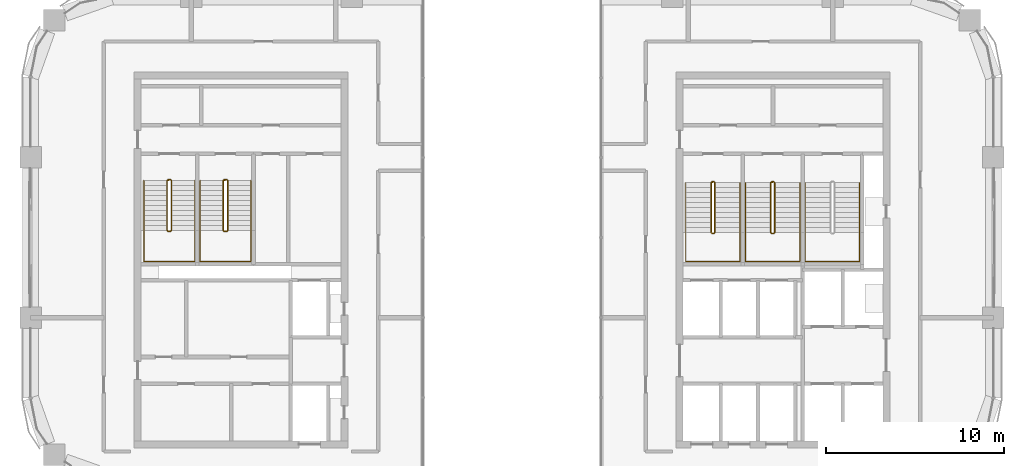
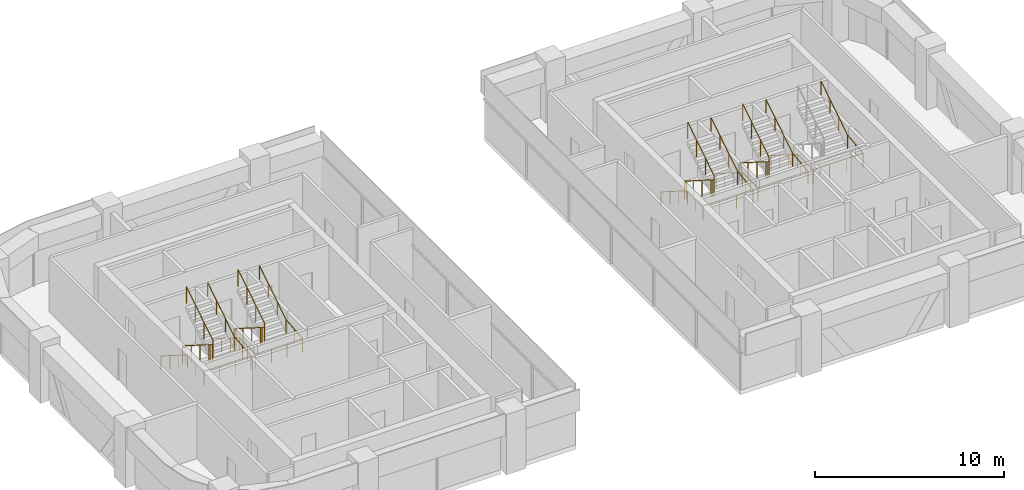
# One storey, part 10 of 11: 9 railings.
"""IFC4 building model written with IfcOpenShell, lengths in metres."""

from ifc_helpers import new_model, si_unit, direction, frame, origin, origin_2d, place, context, subcontext, project, spatial, circle, extrude, material, type_object, element, save


model = new_model("IFC4")

# Units and contexts
model_context = context("Model", 3, precision=1e-05, world=origin(), true_north=direction((0.0, 1.0)))
body_context = subcontext(model_context, "Body", "Model", "MODEL_VIEW")
ifc_project = project(units=[si_unit("LENGTHUNIT", "METRE"), si_unit("AREAUNIT", "SQUARE_METRE"), si_unit("VOLUMEUNIT", "CUBIC_METRE"), si_unit("PLANEANGLEUNIT", "RADIAN"), si_unit("MASSUNIT", "GRAM", prefix="KILO")], contexts=[model_context])

# Site, building, storey
site_placement = place(None, origin())
site = spatial("IfcSite", under=ifc_project, at=site_placement, CompositionType="ELEMENT")
building_placement = place(site_placement, origin())
building = spatial("IfcBuilding", under=site, at=building_placement, Name="Tessera Arch", CompositionType="ELEMENT")
storey_placement = place(building_placement, frame((0.0, 0.0, 222.800048828125)))
storey = spatial("IfcBuildingStorey", under=building, at=storey_placement, Name="L53", CompositionType="ELEMENT", Elevation=222.800048828125)

# Railings
ifc_material_1 = material(Name="Painted steel balustrade", Category="steel")
railing_type_1 = type_object("IfcRailingType", Name="Stair guard 1100", PredefinedType="GUARDRAIL", material=ifc_material_1)
railing_1_placement = place(storey_placement, frame((38.219970703125, 43.6298828125, 0.0)))
element("IfcRailing", 1, at=railing_1_placement, inside=storey, type_object=railing_type_1, Name="L53 S1a stair guard 1", PredefinedType="GUARDRAIL", context=body_context, shape_type="SweptSolid", body=[
    extrude(circle(Radius=0.02392578125, at=origin_2d()), frame((-0.00390625, 0.0, 1.076171875), z_axis=(1.0, 0.0, 0.0), x_axis=(0.0, 1.0, 0.0)), (0.0, 0.0, 1.0), 0.1181640625),
    extrude(circle(Radius=0.02392578125, at=origin_2d()), frame((0.11279296875, 0.000732421875, 1.0732421875), z_axis=(-0.656319048605, -0.204099216335, 0.726353093426), x_axis=(0.296948579431, -0.954893471113, 0.0)), (0.0, 0.0, 1.0), 0.251953125),
    extrude(circle(Radius=0.02392578125, at=origin_2d()), frame((-0.050048828125, -0.04638671875, 1.251220703125), z_axis=(0.0, -0.844908973607, 0.534910110503), x_axis=(1.0, 0.0, 0.0)), (0.0, 0.0, 1.0), 3.322021484375),
    extrude(circle(Radius=0.02392578125, at=origin_2d()), frame((-0.052978515625, -2.846923828125, 3.02587890625), z_axis=(0.707106781187, -0.707106781187, 0.0), x_axis=(0.707106781187, 0.707106781187, 0.0)), (0.0, 0.0, 1.0), 0.078857421875),
    extrude(circle(Radius=0.02392578125, at=origin_2d()), frame((-0.00390625, -2.89990234375, 3.02587890625), z_axis=(1.0, 0.0, 0.0), x_axis=(0.0, 1.0, 0.0)), (0.0, 0.0, 1.0), 0.1181640625),
    extrude(circle(Radius=0.02392578125, at=origin_2d()), frame((0.109130859375, -2.90087890625, 3.022216796875), z_axis=(0.261041864531, 0.262321481514, 0.929001929653), x_axis=(-0.708833529934, 0.705375805398, 0.0)), (0.0, 0.0, 1.0), 0.19873046875),
    extrude(circle(Radius=0.02392578125, at=origin_2d()), frame((0.159912109375, -2.853271484375, 3.201171875), z_axis=(0.0, 0.844908973607, 0.534910110503), x_axis=(-1.0, 0.0, 0.0)), (0.0, 0.0, 1.0), 3.322021484375),
    extrude(circle(Radius=0.02099609375, at=origin_2d()), origin(), (0.0, 0.0, 1.0), 1.06396484375),
    extrude(circle(Radius=0.02099609375, at=origin_2d()), frame((0.110107421875, 0.0, 0.0)), (0.0, 0.0, 1.0), 1.06396484375),
    extrude(circle(Radius=0.02099609375, at=origin_2d()), frame((-0.050048828125, -0.0498046875, 0.17724609375)), (0.0, 0.0, 1.0), 1.06396484375),
    extrude(circle(Radius=0.02099609375, at=origin_2d()), frame((-0.050048828125, -0.983154296875, 0.76806640625)), (0.0, 0.0, 1.0), 1.06396484375),
    extrude(circle(Radius=0.02099609375, at=origin_2d()), frame((-0.050048828125, -1.91650390625, 1.359130859375)), (0.0, 0.0, 1.0), 1.06396484375),
    extrude(circle(Radius=0.02099609375, at=origin_2d()), frame((-0.050048828125, -2.849853515625, 1.949951171875)), (0.0, 0.0, 1.0), 1.06396484375),
    extrude(circle(Radius=0.02099609375, at=origin_2d()), frame((0.0, -2.89990234375, 1.949951171875)), (0.0, 0.0, 1.0), 1.06396484375),
    extrude(circle(Radius=0.02099609375, at=origin_2d()), frame((0.110107421875, -2.89990234375, 1.949951171875)), (0.0, 0.0, 1.0), 1.06396484375),
    extrude(circle(Radius=0.02099609375, at=origin_2d()), frame((0.159912109375, -2.849853515625, 2.127197265625)), (0.0, 0.0, 1.0), 1.06396484375),
    extrude(circle(Radius=0.02099609375, at=origin_2d()), frame((0.159912109375, -1.91650390625, 2.718017578125)), (0.0, 0.0, 1.0), 1.06396484375),
    extrude(circle(Radius=0.02099609375, at=origin_2d()), frame((0.159912109375, -0.983154296875, 3.30908203125)), (0.0, 0.0, 1.0), 1.06396484375),
    extrude(circle(Radius=0.02099609375, at=origin_2d()), frame((0.159912109375, -0.0498046875, 3.89990234375)), (0.0, 0.0, 1.0), 1.06396484375),
])
railing_2_placement = place(storey_placement, frame((41.570068359375, 43.6298828125, 0.0)))
element("IfcRailing", 2, at=railing_2_placement, inside=storey, type_object=railing_type_1, Name="L53 S1b stair guard 1", PredefinedType="GUARDRAIL", context=body_context, shape_type="SweptSolid", body=[
    extrude(circle(Radius=0.02392578125, at=origin_2d()), frame((-0.00390625, 0.0, 1.076171875), z_axis=(1.0, 0.0, 0.0), x_axis=(0.0, 1.0, 0.0)), (0.0, 0.0, 1.0), 0.117919921875),
    extrude(circle(Radius=0.02392578125, at=origin_2d()), frame((0.112548828125, 0.000732421875, 1.0732421875), z_axis=(-0.65574896516, -0.204233265485, 0.726830150696), x_axis=(0.297361876254, -0.954764847777, 0.0)), (0.0, 0.0, 1.0), 0.251953125),
    extrude(circle(Radius=0.02392578125, at=origin_2d()), frame((-0.050048828125, -0.04638671875, 1.251220703125), z_axis=(0.0, -0.844908973607, 0.534910110503), x_axis=(1.0, 0.0, 0.0)), (0.0, 0.0, 1.0), 3.322021484375),
    extrude(circle(Radius=0.02392578125, at=origin_2d()), frame((-0.052978515625, -2.846923828125, 3.02587890625), z_axis=(0.707106781187, -0.707106781187, 0.0), x_axis=(0.707106781187, 0.707106781187, 0.0)), (0.0, 0.0, 1.0), 0.078857421875),
    extrude(circle(Radius=0.02392578125, at=origin_2d()), frame((-0.00390625, -2.89990234375, 3.02587890625), z_axis=(1.0, 0.0, 0.0), x_axis=(0.0, 1.0, 0.0)), (0.0, 0.0, 1.0), 0.117919921875),
    extrude(circle(Radius=0.02392578125, at=origin_2d()), frame((0.10888671875, -2.90087890625, 3.022216796875), z_axis=(0.262233686654, 0.262233686654, 0.928691007369), x_axis=(-0.707106781187, 0.707106781187, 0.0)), (0.0, 0.0, 1.0), 0.198974609375),
    extrude(circle(Radius=0.02392578125, at=origin_2d()), frame((0.159912109375, -2.853271484375, 3.201171875), z_axis=(0.0, 0.844908973607, 0.534910110503), x_axis=(-1.0, 0.0, 0.0)), (0.0, 0.0, 1.0), 3.322021484375),
    extrude(circle(Radius=0.02099609375, at=origin_2d()), origin(), (0.0, 0.0, 1.0), 1.06396484375),
    extrude(circle(Radius=0.02099609375, at=origin_2d()), frame((0.10986328125, 0.0, 0.0)), (0.0, 0.0, 1.0), 1.06396484375),
    extrude(circle(Radius=0.02099609375, at=origin_2d()), frame((-0.050048828125, -0.0498046875, 0.17724609375)), (0.0, 0.0, 1.0), 1.06396484375),
    extrude(circle(Radius=0.02099609375, at=origin_2d()), frame((-0.050048828125, -0.983154296875, 0.76806640625)), (0.0, 0.0, 1.0), 1.06396484375),
    extrude(circle(Radius=0.02099609375, at=origin_2d()), frame((-0.050048828125, -1.91650390625, 1.359130859375)), (0.0, 0.0, 1.0), 1.06396484375),
    extrude(circle(Radius=0.02099609375, at=origin_2d()), frame((-0.050048828125, -2.849853515625, 1.949951171875)), (0.0, 0.0, 1.0), 1.06396484375),
    extrude(circle(Radius=0.02099609375, at=origin_2d()), frame((0.0, -2.89990234375, 1.949951171875)), (0.0, 0.0, 1.0), 1.06396484375),
    extrude(circle(Radius=0.02099609375, at=origin_2d()), frame((0.10986328125, -2.89990234375, 1.949951171875)), (0.0, 0.0, 1.0), 1.06396484375),
    extrude(circle(Radius=0.02099609375, at=origin_2d()), frame((0.159912109375, -2.849853515625, 2.127197265625)), (0.0, 0.0, 1.0), 1.06396484375),
    extrude(circle(Radius=0.02099609375, at=origin_2d()), frame((0.159912109375, -1.91650390625, 2.718017578125)), (0.0, 0.0, 1.0), 1.06396484375),
    extrude(circle(Radius=0.02099609375, at=origin_2d()), frame((0.159912109375, -0.983154296875, 3.30908203125)), (0.0, 0.0, 1.0), 1.06396484375),
    extrude(circle(Radius=0.02099609375, at=origin_2d()), frame((0.159912109375, -0.0498046875, 3.89990234375)), (0.0, 0.0, 1.0), 1.06396484375),
])
railing_3_placement = place(storey_placement, frame((7.699951171875, 43.75, 0.0)))
element("IfcRailing", 3, at=railing_3_placement, inside=storey, type_object=railing_type_1, Name="L53 S2a stair guard 1", PredefinedType="GUARDRAIL", context=body_context, shape_type="SweptSolid", body=[
    extrude(circle(Radius=0.02392578125, at=origin_2d()), frame((-0.00390625, 0.0, 1.076171875), z_axis=(1.0, 0.0, 0.0), x_axis=(0.0, 1.0, 0.0)), (0.0, 0.0, 1.0), 0.158203125),
    extrude(circle(Radius=0.02392578125, at=origin_2d()), frame((0.153076171875, 0.000732421875, 1.073486328125), z_axis=(-0.735936453418, -0.183984113355, 0.651573006319), x_axis=(0.242535625036, -0.970142500145, 0.0)), (0.0, 0.0, 1.0), 0.280029296875),
    extrude(circle(Radius=0.02392578125, at=origin_2d()), frame((-0.050048828125, -0.046630859375, 1.251220703125), z_axis=(0.0, -0.844908973607, 0.534910110503), x_axis=(1.0, 0.0, 0.0)), (0.0, 0.0, 1.0), 3.322021484375),
    extrude(circle(Radius=0.02392578125, at=origin_2d()), frame((-0.052978515625, -2.84716796875, 3.02587890625), z_axis=(0.708833529934, -0.705375805398, 0.0), x_axis=(0.705375805398, 0.708833529934, 0.0)), (0.0, 0.0, 1.0), 0.07861328125),
    extrude(circle(Radius=0.02392578125, at=origin_2d()), frame((-0.00390625, -2.89990234375, 3.02587890625), z_axis=(1.0, 0.0, 0.0), x_axis=(0.0, 1.0, 0.0)), (0.0, 0.0, 1.0), 0.158203125),
    extrude(circle(Radius=0.02392578125, at=origin_2d()), frame((0.149169921875, -2.90087890625, 3.022216796875), z_axis=(0.261129318932, 0.261129318932, 0.929313164433), x_axis=(-0.707106781187, 0.707106781187, 0.0)), (0.0, 0.0, 1.0), 0.19873046875),
    extrude(circle(Radius=0.02392578125, at=origin_2d()), frame((0.199951171875, -2.853515625, 3.201171875), z_axis=(0.0, 0.844908973607, 0.534910110503), x_axis=(-1.0, 0.0, 0.0)), (0.0, 0.0, 1.0), 3.322021484375),
    extrude(circle(Radius=0.02099609375, at=origin_2d()), origin(), (0.0, 0.0, 1.0), 1.06396484375),
    extrude(circle(Radius=0.02099609375, at=origin_2d()), frame((0.150146484375, 0.0, 0.0)), (0.0, 0.0, 1.0), 1.06396484375),
    extrude(circle(Radius=0.02099609375, at=origin_2d()), frame((-0.050048828125, -0.050048828125, 0.17724609375)), (0.0, 0.0, 1.0), 1.06396484375),
    extrude(circle(Radius=0.02099609375, at=origin_2d()), frame((-0.050048828125, -0.9833984375, 0.76806640625)), (0.0, 0.0, 1.0), 1.06396484375),
    extrude(circle(Radius=0.02099609375, at=origin_2d()), frame((-0.050048828125, -1.916748046875, 1.359130859375)), (0.0, 0.0, 1.0), 1.06396484375),
    extrude(circle(Radius=0.02099609375, at=origin_2d()), frame((-0.050048828125, -2.85009765625, 1.949951171875)), (0.0, 0.0, 1.0), 1.06396484375),
    extrude(circle(Radius=0.02099609375, at=origin_2d()), frame((0.0, -2.89990234375, 1.949951171875)), (0.0, 0.0, 1.0), 1.06396484375),
    extrude(circle(Radius=0.02099609375, at=origin_2d()), frame((0.150146484375, -2.89990234375, 1.949951171875)), (0.0, 0.0, 1.0), 1.06396484375),
    extrude(circle(Radius=0.02099609375, at=origin_2d()), frame((0.199951171875, -2.85009765625, 2.127197265625)), (0.0, 0.0, 1.0), 1.06396484375),
    extrude(circle(Radius=0.02099609375, at=origin_2d()), frame((0.199951171875, -1.916748046875, 2.718017578125)), (0.0, 0.0, 1.0), 1.06396484375),
    extrude(circle(Radius=0.02099609375, at=origin_2d()), frame((0.199951171875, -0.9833984375, 3.30908203125)), (0.0, 0.0, 1.0), 1.06396484375),
    extrude(circle(Radius=0.02099609375, at=origin_2d()), frame((0.199951171875, -0.050048828125, 3.89990234375)), (0.0, 0.0, 1.0), 1.06396484375),
])
railing_4_placement = place(storey_placement, frame((10.85009765625, 43.75, 0.0)))
element("IfcRailing", 4, at=railing_4_placement, inside=storey, type_object=railing_type_1, Name="L53 S2b stair guard 1", PredefinedType="GUARDRAIL", context=body_context, shape_type="SweptSolid", body=[
    extrude(circle(Radius=0.02392578125, at=origin_2d()), frame((-0.00390625, 0.0, 1.076171875), z_axis=(1.0, 0.0, 0.0), x_axis=(0.0, 1.0, 0.0)), (0.0, 0.0, 1.0), 0.157958984375),
    extrude(circle(Radius=0.02392578125, at=origin_2d()), frame((0.15283203125, 0.000732421875, 1.073486328125), z_axis=(-0.735524641326, -0.184105679453, 0.652003528208), x_axis=(0.242814311512, -0.970072785993, 0.0)), (0.0, 0.0, 1.0), 0.27978515625),
    extrude(circle(Radius=0.02392578125, at=origin_2d()), frame((-0.050048828125, -0.046630859375, 1.251220703125), z_axis=(0.0, -0.844908973607, 0.534910110503), x_axis=(1.0, 0.0, 0.0)), (0.0, 0.0, 1.0), 3.322021484375),
    extrude(circle(Radius=0.02392578125, at=origin_2d()), frame((-0.052978515625, -2.84716796875, 3.02587890625), z_axis=(0.708833529934, -0.705375805398, 0.0), x_axis=(0.705375805398, 0.708833529934, 0.0)), (0.0, 0.0, 1.0), 0.07861328125),
    extrude(circle(Radius=0.02392578125, at=origin_2d()), frame((-0.00390625, -2.89990234375, 3.02587890625), z_axis=(1.0, 0.0, 0.0), x_axis=(0.0, 1.0, 0.0)), (0.0, 0.0, 1.0), 0.157958984375),
    extrude(circle(Radius=0.02392578125, at=origin_2d()), frame((0.14892578125, -2.90087890625, 3.022216796875), z_axis=(0.262321481514, 0.261041864531, 0.929001929653), x_axis=(-0.705375805398, 0.708833529934, 0.0)), (0.0, 0.0, 1.0), 0.19873046875),
    extrude(circle(Radius=0.02392578125, at=origin_2d()), frame((0.199951171875, -2.853515625, 3.201171875), z_axis=(0.0, 0.844908973607, 0.534910110503), x_axis=(-1.0, 0.0, 0.0)), (0.0, 0.0, 1.0), 3.322021484375),
    extrude(circle(Radius=0.02099609375, at=origin_2d()), origin(), (0.0, 0.0, 1.0), 1.06396484375),
    extrude(circle(Radius=0.02099609375, at=origin_2d()), frame((0.14990234375, 0.0, 0.0)), (0.0, 0.0, 1.0), 1.06396484375),
    extrude(circle(Radius=0.02099609375, at=origin_2d()), frame((-0.050048828125, -0.050048828125, 0.17724609375)), (0.0, 0.0, 1.0), 1.06396484375),
    extrude(circle(Radius=0.02099609375, at=origin_2d()), frame((-0.050048828125, -0.9833984375, 0.76806640625)), (0.0, 0.0, 1.0), 1.06396484375),
    extrude(circle(Radius=0.02099609375, at=origin_2d()), frame((-0.050048828125, -1.916748046875, 1.359130859375)), (0.0, 0.0, 1.0), 1.06396484375),
    extrude(circle(Radius=0.02099609375, at=origin_2d()), frame((-0.050048828125, -2.85009765625, 1.949951171875)), (0.0, 0.0, 1.0), 1.06396484375),
    extrude(circle(Radius=0.02099609375, at=origin_2d()), frame((0.0, -2.89990234375, 1.949951171875)), (0.0, 0.0, 1.0), 1.06396484375),
    extrude(circle(Radius=0.02099609375, at=origin_2d()), frame((0.14990234375, -2.89990234375, 1.949951171875)), (0.0, 0.0, 1.0), 1.06396484375),
    extrude(circle(Radius=0.02099609375, at=origin_2d()), frame((0.199951171875, -2.85009765625, 2.127197265625)), (0.0, 0.0, 1.0), 1.06396484375),
    extrude(circle(Radius=0.02099609375, at=origin_2d()), frame((0.199951171875, -1.916748046875, 2.718017578125)), (0.0, 0.0, 1.0), 1.06396484375),
    extrude(circle(Radius=0.02099609375, at=origin_2d()), frame((0.199951171875, -0.9833984375, 3.30908203125)), (0.0, 0.0, 1.0), 1.06396484375),
    extrude(circle(Radius=0.02099609375, at=origin_2d()), frame((0.199951171875, -0.050048828125, 3.89990234375)), (0.0, 0.0, 1.0), 1.06396484375),
])
ifc_material_2 = material(Name="Painted steel handrail", Category="steel")
railing_type_2 = type_object("IfcRailingType", Name="Stair handrail 900", PredefinedType="HANDRAIL", material=ifc_material_2)
railing_5_placement = place(storey_placement, frame((36.75, 43.580078125, 0.17724609375)))
element("IfcRailing", 5, at=railing_5_placement, inside=storey, type_object=railing_type_2, Name="L53 S1a stair handrail", PredefinedType="HANDRAIL", context=body_context, shape_type="SweptSolid", body=[
    extrude(circle(Radius=0.02392578125, at=origin_2d()), frame((0.0, 0.00341796875, 0.873779296875), z_axis=(0.0, -0.844908973607, 0.534910110503), x_axis=(1.0, 0.0, 0.0)), (0.0, 0.0, 1.0), 3.322021484375),
    extrude(circle(Radius=0.02392578125, at=origin_2d()), frame((0.0, -2.796142578125, 2.6484375), z_axis=(0.0, -1.0, 0.0), x_axis=(1.0, 0.0, 0.0)), (0.0, 0.0, 1.0), 1.63818359375),
    extrude(circle(Radius=0.02392578125, at=origin_2d()), frame((-0.00390625, -4.43017578125, 2.6484375), z_axis=(1.0, 0.0, 0.0), x_axis=(0.0, 1.0, 0.0)), (0.0, 0.0, 1.0), 3.05810546875),
    extrude(circle(Radius=0.02392578125, at=origin_2d()), frame((3.050048828125, -4.43408203125, 2.648193359375), z_axis=(0.0, 0.994140637614, 0.108094369164), x_axis=(-1.0, 0.0, 0.0)), (0.0, 0.0, 1.0), 1.647705078125),
    extrude(circle(Radius=0.02392578125, at=origin_2d()), frame((3.050048828125, -2.803466796875, 2.82373046875), z_axis=(0.0, 0.844908973607, 0.534910110503), x_axis=(-1.0, 0.0, 0.0)), (0.0, 0.0, 1.0), 3.322021484375),
    extrude(circle(Radius=0.02099609375, at=origin_2d()), origin(), (0.0, 0.0, 1.0), 0.86376953125),
    extrude(circle(Radius=0.02099609375, at=origin_2d()), frame((0.0, -0.933349609375, 0.5908203125)), (0.0, 0.0, 1.0), 0.86376953125),
    extrude(circle(Radius=0.02099609375, at=origin_2d()), frame((0.0, -1.86669921875, 1.181884765625)), (0.0, 0.0, 1.0), 0.86376953125),
    extrude(circle(Radius=0.02099609375, at=origin_2d()), frame((0.0, -2.800048828125, 1.772705078125)), (0.0, 0.0, 1.0), 0.86376953125),
    extrude(circle(Radius=0.02099609375, at=origin_2d()), frame((0.0, -3.615234375, 1.772705078125)), (0.0, 0.0, 1.0), 0.86376953125),
    extrude(circle(Radius=0.02099609375, at=origin_2d()), frame((0.0, -4.43017578125, 1.772705078125)), (0.0, 0.0, 1.0), 0.86376953125),
    extrude(circle(Radius=0.02099609375, at=origin_2d()), frame((1.0166015625, -4.43017578125, 1.772705078125)), (0.0, 0.0, 1.0), 0.86376953125),
    extrude(circle(Radius=0.02099609375, at=origin_2d()), frame((2.033447265625, -4.43017578125, 1.772705078125)), (0.0, 0.0, 1.0), 0.86376953125),
    extrude(circle(Radius=0.02099609375, at=origin_2d()), frame((3.050048828125, -4.43017578125, 1.772705078125)), (0.0, 0.0, 1.0), 0.86376953125),
    extrude(circle(Radius=0.02099609375, at=origin_2d()), frame((3.050048828125, -3.615234375, 1.861328125)), (0.0, 0.0, 1.0), 0.86376953125),
    extrude(circle(Radius=0.02099609375, at=origin_2d()), frame((3.050048828125, -2.800048828125, 1.949951171875)), (0.0, 0.0, 1.0), 0.86376953125),
    extrude(circle(Radius=0.02099609375, at=origin_2d()), frame((3.050048828125, -1.86669921875, 2.540771484375)), (0.0, 0.0, 1.0), 0.86376953125),
    extrude(circle(Radius=0.02099609375, at=origin_2d()), frame((3.050048828125, -0.933349609375, 3.1318359375)), (0.0, 0.0, 1.0), 0.86376953125),
    extrude(circle(Radius=0.02099609375, at=origin_2d()), frame((3.050048828125, 0.0, 3.72265625)), (0.0, 0.0, 1.0), 0.86376953125),
])
railing_6_placement = place(storey_placement, frame((40.10009765625, 43.580078125, 0.17724609375)))
element("IfcRailing", 6, at=railing_6_placement, inside=storey, type_object=railing_type_2, Name="L53 S1b stair handrail", PredefinedType="HANDRAIL", context=body_context, shape_type="SweptSolid", body=[
    extrude(circle(Radius=0.02392578125, at=origin_2d()), frame((0.0, 0.00341796875, 0.873779296875), z_axis=(0.0, -0.844908973607, 0.534910110503), x_axis=(1.0, 0.0, 0.0)), (0.0, 0.0, 1.0), 3.322021484375),
    extrude(circle(Radius=0.02392578125, at=origin_2d()), frame((0.0, -2.796142578125, 2.6484375), z_axis=(0.0, -1.0, 0.0), x_axis=(1.0, 0.0, 0.0)), (0.0, 0.0, 1.0), 1.63818359375),
    extrude(circle(Radius=0.02392578125, at=origin_2d()), frame((-0.00390625, -4.43017578125, 2.6484375), z_axis=(1.0, 0.0, 0.0), x_axis=(0.0, 1.0, 0.0)), (0.0, 0.0, 1.0), 3.057861328125),
    extrude(circle(Radius=0.02392578125, at=origin_2d()), frame((3.0498046875, -4.43408203125, 2.648193359375), z_axis=(0.0, 0.994140637614, 0.108094369164), x_axis=(-1.0, 0.0, 0.0)), (0.0, 0.0, 1.0), 1.647705078125),
    extrude(circle(Radius=0.02392578125, at=origin_2d()), frame((3.0498046875, -2.803466796875, 2.82373046875), z_axis=(0.0, 0.844908973607, 0.534910110503), x_axis=(-1.0, 0.0, 0.0)), (0.0, 0.0, 1.0), 3.322021484375),
    extrude(circle(Radius=0.02099609375, at=origin_2d()), origin(), (0.0, 0.0, 1.0), 0.86376953125),
    extrude(circle(Radius=0.02099609375, at=origin_2d()), frame((0.0, -0.933349609375, 0.5908203125)), (0.0, 0.0, 1.0), 0.86376953125),
    extrude(circle(Radius=0.02099609375, at=origin_2d()), frame((0.0, -1.86669921875, 1.181884765625)), (0.0, 0.0, 1.0), 0.86376953125),
    extrude(circle(Radius=0.02099609375, at=origin_2d()), frame((0.0, -2.800048828125, 1.772705078125)), (0.0, 0.0, 1.0), 0.86376953125),
    extrude(circle(Radius=0.02099609375, at=origin_2d()), frame((0.0, -3.615234375, 1.772705078125)), (0.0, 0.0, 1.0), 0.86376953125),
    extrude(circle(Radius=0.02099609375, at=origin_2d()), frame((0.0, -4.43017578125, 1.772705078125)), (0.0, 0.0, 1.0), 0.86376953125),
    extrude(circle(Radius=0.02099609375, at=origin_2d()), frame((1.0166015625, -4.43017578125, 1.772705078125)), (0.0, 0.0, 1.0), 0.86376953125),
    extrude(circle(Radius=0.02099609375, at=origin_2d()), frame((2.033203125, -4.43017578125, 1.772705078125)), (0.0, 0.0, 1.0), 0.86376953125),
    extrude(circle(Radius=0.02099609375, at=origin_2d()), frame((3.0498046875, -4.43017578125, 1.772705078125)), (0.0, 0.0, 1.0), 0.86376953125),
    extrude(circle(Radius=0.02099609375, at=origin_2d()), frame((3.0498046875, -3.615234375, 1.861328125)), (0.0, 0.0, 1.0), 0.86376953125),
    extrude(circle(Radius=0.02099609375, at=origin_2d()), frame((3.0498046875, -2.800048828125, 1.949951171875)), (0.0, 0.0, 1.0), 0.86376953125),
    extrude(circle(Radius=0.02099609375, at=origin_2d()), frame((3.0498046875, -1.86669921875, 2.540771484375)), (0.0, 0.0, 1.0), 0.86376953125),
    extrude(circle(Radius=0.02099609375, at=origin_2d()), frame((3.0498046875, -0.933349609375, 3.1318359375)), (0.0, 0.0, 1.0), 0.86376953125),
    extrude(circle(Radius=0.02099609375, at=origin_2d()), frame((3.0498046875, 0.0, 3.72265625)), (0.0, 0.0, 1.0), 0.86376953125),
])
railing_7_placement = place(storey_placement, frame((43.449951171875, 43.580078125, 0.17724609375)))
element("IfcRailing", 7, at=railing_7_placement, inside=storey, type_object=railing_type_2, Name="L53 S1c stair handrail", PredefinedType="HANDRAIL", context=body_context, shape_type="SweptSolid", body=[
    extrude(circle(Radius=0.02392578125, at=origin_2d()), frame((0.0, 0.00341796875, 0.873779296875), z_axis=(0.0, -0.844908973607, 0.534910110503), x_axis=(1.0, 0.0, 0.0)), (0.0, 0.0, 1.0), 3.322021484375),
    extrude(circle(Radius=0.02392578125, at=origin_2d()), frame((0.0, -2.796142578125, 2.6484375), z_axis=(0.0, -1.0, 0.0), x_axis=(1.0, 0.0, 0.0)), (0.0, 0.0, 1.0), 1.63818359375),
    extrude(circle(Radius=0.02392578125, at=origin_2d()), frame((-0.00390625, -4.43017578125, 2.6484375), z_axis=(1.0, 0.0, 0.0), x_axis=(0.0, 1.0, 0.0)), (0.0, 0.0, 1.0), 3.05810546875),
    extrude(circle(Radius=0.02392578125, at=origin_2d()), frame((3.050048828125, -4.43408203125, 2.648193359375), z_axis=(0.0, 0.994140637614, 0.108094369164), x_axis=(-1.0, 0.0, 0.0)), (0.0, 0.0, 1.0), 1.647705078125),
    extrude(circle(Radius=0.02392578125, at=origin_2d()), frame((3.050048828125, -2.803466796875, 2.82373046875), z_axis=(0.0, 0.844908973607, 0.534910110503), x_axis=(-1.0, 0.0, 0.0)), (0.0, 0.0, 1.0), 3.322021484375),
    extrude(circle(Radius=0.02099609375, at=origin_2d()), origin(), (0.0, 0.0, 1.0), 0.86376953125),
    extrude(circle(Radius=0.02099609375, at=origin_2d()), frame((0.0, -0.933349609375, 0.5908203125)), (0.0, 0.0, 1.0), 0.86376953125),
    extrude(circle(Radius=0.02099609375, at=origin_2d()), frame((0.0, -1.86669921875, 1.181884765625)), (0.0, 0.0, 1.0), 0.86376953125),
    extrude(circle(Radius=0.02099609375, at=origin_2d()), frame((0.0, -2.800048828125, 1.772705078125)), (0.0, 0.0, 1.0), 0.86376953125),
    extrude(circle(Radius=0.02099609375, at=origin_2d()), frame((0.0, -3.615234375, 1.772705078125)), (0.0, 0.0, 1.0), 0.86376953125),
    extrude(circle(Radius=0.02099609375, at=origin_2d()), frame((0.0, -4.43017578125, 1.772705078125)), (0.0, 0.0, 1.0), 0.86376953125),
    extrude(circle(Radius=0.02099609375, at=origin_2d()), frame((1.0166015625, -4.43017578125, 1.772705078125)), (0.0, 0.0, 1.0), 0.86376953125),
    extrude(circle(Radius=0.02099609375, at=origin_2d()), frame((2.033447265625, -4.43017578125, 1.772705078125)), (0.0, 0.0, 1.0), 0.86376953125),
    extrude(circle(Radius=0.02099609375, at=origin_2d()), frame((3.050048828125, -4.43017578125, 1.772705078125)), (0.0, 0.0, 1.0), 0.86376953125),
    extrude(circle(Radius=0.02099609375, at=origin_2d()), frame((3.050048828125, -3.615234375, 1.861328125)), (0.0, 0.0, 1.0), 0.86376953125),
    extrude(circle(Radius=0.02099609375, at=origin_2d()), frame((3.050048828125, -2.800048828125, 1.949951171875)), (0.0, 0.0, 1.0), 0.86376953125),
    extrude(circle(Radius=0.02099609375, at=origin_2d()), frame((3.050048828125, -1.86669921875, 2.540771484375)), (0.0, 0.0, 1.0), 0.86376953125),
    extrude(circle(Radius=0.02099609375, at=origin_2d()), frame((3.050048828125, -0.933349609375, 3.1318359375)), (0.0, 0.0, 1.0), 0.86376953125),
    extrude(circle(Radius=0.02099609375, at=origin_2d()), frame((3.050048828125, 0.0, 3.72265625)), (0.0, 0.0, 1.0), 0.86376953125),
])
railing_8_placement = place(storey_placement, frame((6.35009765625, 43.699951171875, 0.17724609375)))
element("IfcRailing", 8, at=railing_8_placement, inside=storey, type_object=railing_type_2, Name="L53 S2a stair handrail", PredefinedType="HANDRAIL", context=body_context, shape_type="SweptSolid", body=[
    extrude(circle(Radius=0.02392578125, at=origin_2d()), frame((0.0, 0.00341796875, 0.873779296875), z_axis=(0.0, -0.844908973607, 0.534910110503), x_axis=(1.0, 0.0, 0.0)), (0.0, 0.0, 1.0), 3.322021484375),
    extrude(circle(Radius=0.02392578125, at=origin_2d()), frame((0.0, -2.796142578125, 2.6484375), z_axis=(0.0, -1.0, 0.0), x_axis=(1.0, 0.0, 0.0)), (0.0, 0.0, 1.0), 1.758056640625),
    extrude(circle(Radius=0.02392578125, at=origin_2d()), frame((-0.00390625, -4.550048828125, 2.6484375), z_axis=(1.0, 0.0, 0.0), x_axis=(0.0, 1.0, 0.0)), (0.0, 0.0, 1.0), 2.85791015625),
    extrude(circle(Radius=0.02392578125, at=origin_2d()), frame((2.849853515625, -4.553955078125, 2.648193359375), z_axis=(0.0, 0.994909956378, 0.100767944801), x_axis=(-1.0, 0.0, 0.0)), (0.0, 0.0, 1.0), 1.766845703125),
    extrude(circle(Radius=0.02392578125, at=origin_2d()), frame((2.849853515625, -2.803466796875, 2.82373046875), z_axis=(0.0, 0.844908973607, 0.534910110503), x_axis=(-1.0, 0.0, 0.0)), (0.0, 0.0, 1.0), 3.322021484375),
    extrude(circle(Radius=0.02099609375, at=origin_2d()), origin(), (0.0, 0.0, 1.0), 0.86376953125),
    extrude(circle(Radius=0.02099609375, at=origin_2d()), frame((0.0, -0.933349609375, 0.5908203125)), (0.0, 0.0, 1.0), 0.86376953125),
    extrude(circle(Radius=0.02099609375, at=origin_2d()), frame((0.0, -1.86669921875, 1.181884765625)), (0.0, 0.0, 1.0), 0.86376953125),
    extrude(circle(Radius=0.02099609375, at=origin_2d()), frame((0.0, -2.800048828125, 1.772705078125)), (0.0, 0.0, 1.0), 0.86376953125),
    extrude(circle(Radius=0.02099609375, at=origin_2d()), frame((0.0, -3.675048828125, 1.772705078125)), (0.0, 0.0, 1.0), 0.86376953125),
    extrude(circle(Radius=0.02099609375, at=origin_2d()), frame((0.0, -4.550048828125, 1.772705078125)), (0.0, 0.0, 1.0), 0.86376953125),
    extrude(circle(Radius=0.02099609375, at=origin_2d()), frame((0.949951171875, -4.550048828125, 1.772705078125)), (0.0, 0.0, 1.0), 0.86376953125),
    extrude(circle(Radius=0.02099609375, at=origin_2d()), frame((1.89990234375, -4.550048828125, 1.772705078125)), (0.0, 0.0, 1.0), 0.86376953125),
    extrude(circle(Radius=0.02099609375, at=origin_2d()), frame((2.849853515625, -4.550048828125, 1.772705078125)), (0.0, 0.0, 1.0), 0.86376953125),
    extrude(circle(Radius=0.02099609375, at=origin_2d()), frame((2.849853515625, -3.675048828125, 1.861328125)), (0.0, 0.0, 1.0), 0.86376953125),
    extrude(circle(Radius=0.02099609375, at=origin_2d()), frame((2.849853515625, -2.800048828125, 1.949951171875)), (0.0, 0.0, 1.0), 0.86376953125),
    extrude(circle(Radius=0.02099609375, at=origin_2d()), frame((2.849853515625, -1.86669921875, 2.540771484375)), (0.0, 0.0, 1.0), 0.86376953125),
    extrude(circle(Radius=0.02099609375, at=origin_2d()), frame((2.849853515625, -0.933349609375, 3.1318359375)), (0.0, 0.0, 1.0), 0.86376953125),
    extrude(circle(Radius=0.02099609375, at=origin_2d()), frame((2.849853515625, 0.0, 3.72265625)), (0.0, 0.0, 1.0), 0.86376953125),
])
railing_9_placement = place(storey_placement, frame((9.5, 43.699951171875, 0.17724609375)))
element("IfcRailing", 9, at=railing_9_placement, inside=storey, type_object=railing_type_2, Name="L53 S2b stair handrail", PredefinedType="HANDRAIL", context=body_context, shape_type="SweptSolid", body=[
    extrude(circle(Radius=0.02392578125, at=origin_2d()), frame((0.0, 0.00341796875, 0.873779296875), z_axis=(0.0, -0.844908973607, 0.534910110503), x_axis=(1.0, 0.0, 0.0)), (0.0, 0.0, 1.0), 3.322021484375),
    extrude(circle(Radius=0.02392578125, at=origin_2d()), frame((0.0, -2.796142578125, 2.6484375), z_axis=(0.0, -1.0, 0.0), x_axis=(1.0, 0.0, 0.0)), (0.0, 0.0, 1.0), 1.758056640625),
    extrude(circle(Radius=0.02392578125, at=origin_2d()), frame((-0.00390625, -4.550048828125, 2.6484375), z_axis=(1.0, 0.0, 0.0), x_axis=(0.0, 1.0, 0.0)), (0.0, 0.0, 1.0), 2.858154296875),
    extrude(circle(Radius=0.02392578125, at=origin_2d()), frame((2.85009765625, -4.553955078125, 2.648193359375), z_axis=(0.0, 0.994909956378, 0.100767944801), x_axis=(-1.0, 0.0, 0.0)), (0.0, 0.0, 1.0), 1.766845703125),
    extrude(circle(Radius=0.02392578125, at=origin_2d()), frame((2.85009765625, -2.803466796875, 2.82373046875), z_axis=(0.0, 0.844908973607, 0.534910110503), x_axis=(-1.0, 0.0, 0.0)), (0.0, 0.0, 1.0), 3.322021484375),
    extrude(circle(Radius=0.02099609375, at=origin_2d()), origin(), (0.0, 0.0, 1.0), 0.86376953125),
    extrude(circle(Radius=0.02099609375, at=origin_2d()), frame((0.0, -0.933349609375, 0.5908203125)), (0.0, 0.0, 1.0), 0.86376953125),
    extrude(circle(Radius=0.02099609375, at=origin_2d()), frame((0.0, -1.86669921875, 1.181884765625)), (0.0, 0.0, 1.0), 0.86376953125),
    extrude(circle(Radius=0.02099609375, at=origin_2d()), frame((0.0, -2.800048828125, 1.772705078125)), (0.0, 0.0, 1.0), 0.86376953125),
    extrude(circle(Radius=0.02099609375, at=origin_2d()), frame((0.0, -3.675048828125, 1.772705078125)), (0.0, 0.0, 1.0), 0.86376953125),
    extrude(circle(Radius=0.02099609375, at=origin_2d()), frame((0.0, -4.550048828125, 1.772705078125)), (0.0, 0.0, 1.0), 0.86376953125),
    extrude(circle(Radius=0.02099609375, at=origin_2d()), frame((0.949951171875, -4.550048828125, 1.772705078125)), (0.0, 0.0, 1.0), 0.86376953125),
    extrude(circle(Radius=0.02099609375, at=origin_2d()), frame((1.900146484375, -4.550048828125, 1.772705078125)), (0.0, 0.0, 1.0), 0.86376953125),
    extrude(circle(Radius=0.02099609375, at=origin_2d()), frame((2.85009765625, -4.550048828125, 1.772705078125)), (0.0, 0.0, 1.0), 0.86376953125),
    extrude(circle(Radius=0.02099609375, at=origin_2d()), frame((2.85009765625, -3.675048828125, 1.861328125)), (0.0, 0.0, 1.0), 0.86376953125),
    extrude(circle(Radius=0.02099609375, at=origin_2d()), frame((2.85009765625, -2.800048828125, 1.949951171875)), (0.0, 0.0, 1.0), 0.86376953125),
    extrude(circle(Radius=0.02099609375, at=origin_2d()), frame((2.85009765625, -1.86669921875, 2.540771484375)), (0.0, 0.0, 1.0), 0.86376953125),
    extrude(circle(Radius=0.02099609375, at=origin_2d()), frame((2.85009765625, -0.933349609375, 3.1318359375)), (0.0, 0.0, 1.0), 0.86376953125),
    extrude(circle(Radius=0.02099609375, at=origin_2d()), frame((2.85009765625, 0.0, 3.72265625)), (0.0, 0.0, 1.0), 0.86376953125),
])

save(model, "model.ifc")
